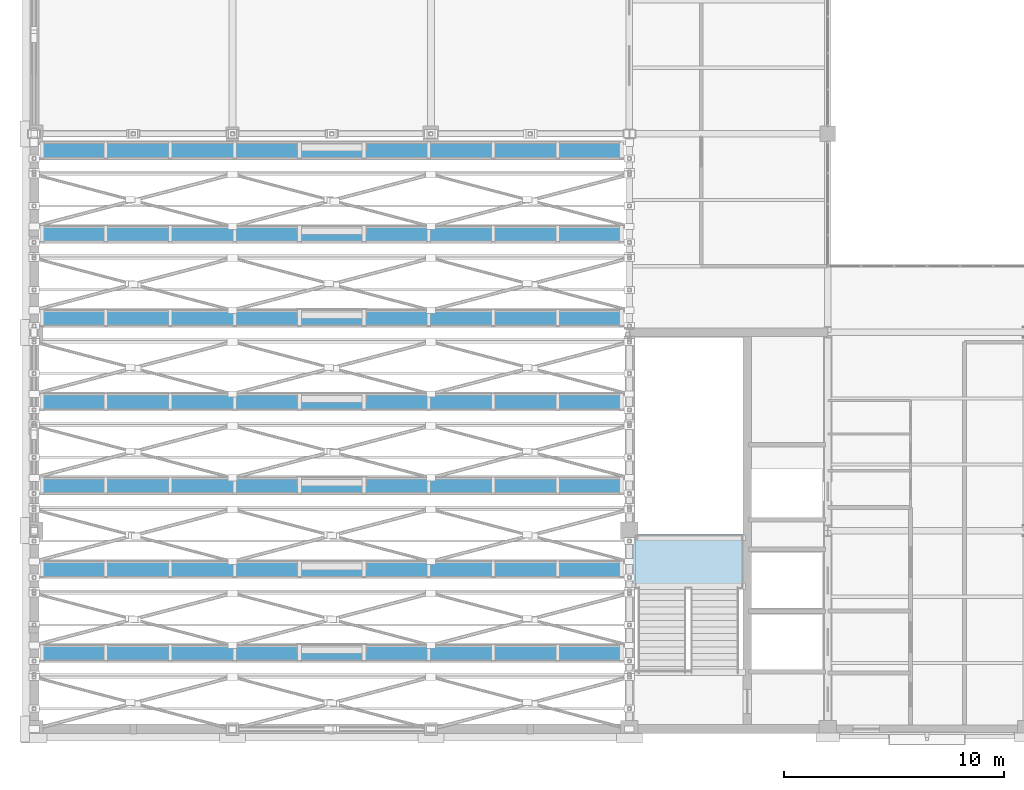
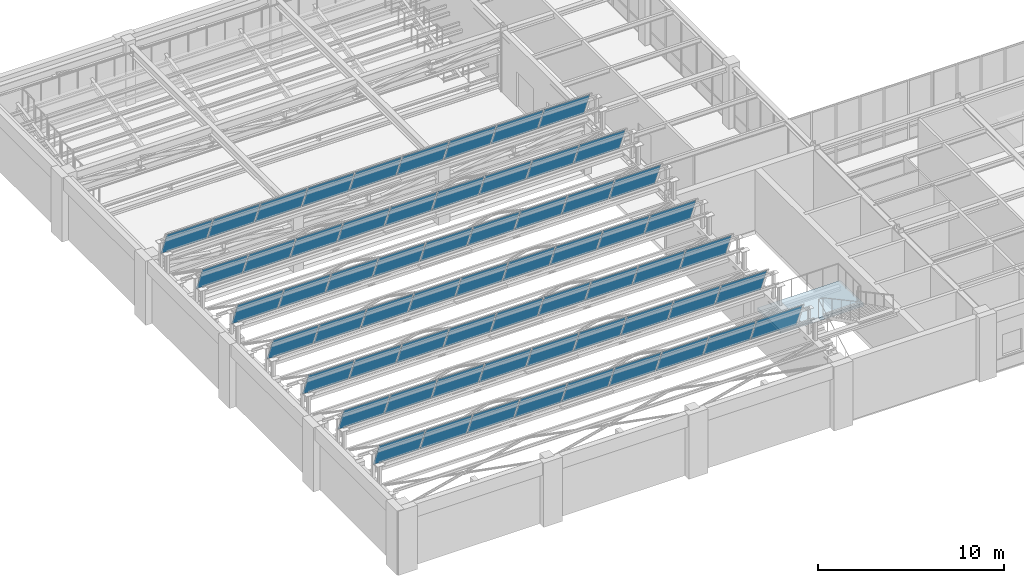
# One storey, part 79 of 108: 63 plates, 1 slab, 8 elements without a shape of their own.
"""IFC4 building model written with IfcOpenShell, lengths in metres."""

from ifc_helpers import new_model, si_unit, direction, frame, origin, origin_2d, place, context, subcontext, project, spatial, polyline, rectangle, outline, extrude, material, layer, layer_set, type_object, element, aggregate, save


model = new_model("IFC4")

# Units and contexts
model_context = context("Model", 3, precision=1e-05, world=origin(), true_north=direction((0.0, 1.0)))
body_context = subcontext(model_context, "Body", "Model", "MODEL_VIEW")
ifc_project = project(units=[si_unit("LENGTHUNIT", "METRE"), si_unit("AREAUNIT", "SQUARE_METRE"), si_unit("VOLUMEUNIT", "CUBIC_METRE"), si_unit("PLANEANGLEUNIT", "RADIAN"), si_unit("MASSUNIT", "GRAM", prefix="KILO")], contexts=[model_context])

# Site, building, storey
site_placement = place(None, origin())
site = spatial("IfcSite", under=ifc_project, at=site_placement, CompositionType="ELEMENT")
building_placement = place(site_placement, origin())
building = spatial("IfcBuilding", under=site, at=building_placement, Name="Lykobir Media Centre", CompositionType="ELEMENT")
storey_placement = place(building_placement, frame((0.0, 0.0, 15.0)))
storey = spatial("IfcBuildingStorey", under=building, at=storey_placement, Name="L03", CompositionType="ELEMENT", Elevation=15.0)

# Curtain wall, plates
ifc_material_1 = material(Name="Anodized Aluminium AW-6060", Category="aluminium")
curtain_wall_type = type_object("IfcCurtainWallType", Name="CW-NL-V1", PredefinedType="NOTDEFINED", material=ifc_material_1)
curtain_wall_1_placement = place(storey_placement, origin())
curtain_wall_1 = element("IfcCurtainWall", 1, at=curtain_wall_1_placement, inside=storey, type_object=curtain_wall_type, Name="Curtain wall CW-NL-V1-01", PredefinedType="NOTDEFINED")
ifc_material_2 = material(Name="Low-E Laminated Triple Glazing", Category="glass")
ifc_layer_1 = layer(ifc_material_2, 0.031982421875, Name="Low-E Laminated Triple Glazing")
ifc_layer_set_1 = layer_set([ifc_layer_1], Name="Low-E Laminated Triple Glazing")
plate_type = type_object("IfcPlateType", Name="CWP-GLZ-32", PredefinedType="CURTAIN_PANEL", material=ifc_layer_set_1)
plate_1_placement = place(storey_placement, frame((1.802001953125, 3.773681640625, 4.264892578125), z_axis=(0.0, -0.374606593416, 0.927183854567), x_axis=(1.0, 0.0, 0.0)))
plate_1 = element("IfcPlate", 2, at=plate_1_placement, type_object=plate_type, Name="CW-NL-V1-01 panel 1.1", PredefinedType="CURTAIN_PANEL", context=body_context, shape_type="SweptSolid", body=[
    extrude(rectangle(XDim=2.823974609375, YDim=0.031982421875, at=origin_2d()), origin(), (0.0, 0.0, 1.0), 1.77880859375),
])
plate_2_placement = place(storey_placement, frame((4.71337890625, 3.773681640625, 4.264892578125), z_axis=(0.0, -0.374606593416, 0.927183854567), x_axis=(1.0, 0.0, 0.0)))
plate_2 = element("IfcPlate", 3, at=plate_2_placement, type_object=plate_type, Name="CW-NL-V1-01 panel 2.1", PredefinedType="CURTAIN_PANEL", context=body_context, shape_type="SweptSolid", body=[
    extrude(rectangle(XDim=2.85888671875, YDim=0.031982421875, at=origin_2d()), origin(), (0.0, 0.0, 1.0), 1.77880859375),
])
plate_3_placement = place(storey_placement, frame((7.64208984375, 3.773681640625, 4.264892578125), z_axis=(0.0, -0.374606593416, 0.927183854567), x_axis=(1.0, 0.0, 0.0)))
plate_3 = element("IfcPlate", 4, at=plate_3_placement, type_object=plate_type, Name="CW-NL-V1-01 panel 3.1", PredefinedType="CURTAIN_PANEL", context=body_context, shape_type="SweptSolid", body=[
    extrude(rectangle(XDim=2.85888671875, YDim=0.031982421875, at=origin_2d()), origin(), (0.0, 0.0, 1.0), 1.77880859375),
])
plate_4_placement = place(storey_placement, frame((10.571044921875, 3.773681640625, 4.264892578125), z_axis=(0.0, -0.374606593416, 0.927183854567), x_axis=(1.0, 0.0, 0.0)))
plate_4 = element("IfcPlate", 5, at=plate_4_placement, type_object=plate_type, Name="CW-NL-V1-01 panel 4.1", PredefinedType="CURTAIN_PANEL", context=body_context, shape_type="SweptSolid", body=[
    extrude(rectangle(XDim=2.85888671875, YDim=0.031982421875, at=origin_2d()), origin(), (0.0, 0.0, 1.0), 1.77880859375),
])
plate_5_placement = place(storey_placement, frame((13.5, 3.773681640625, 4.264892578125), z_axis=(0.0, -0.374606593416, 0.927183854567), x_axis=(1.0, 0.0, 0.0)))
plate_5 = element("IfcPlate", 6, at=plate_5_placement, type_object=plate_type, Name="CW-NL-V1-01 panel 5.1", PredefinedType="CURTAIN_PANEL", context=body_context, shape_type="SweptSolid", body=[
    extrude(rectangle(XDim=2.85888671875, YDim=0.031982421875, at=origin_2d()), origin(), (0.0, 0.0, 1.0), 1.77880859375),
])
plate_6_placement = place(storey_placement, frame((16.428955078125, 3.773681640625, 4.264892578125), z_axis=(0.0, -0.374606593416, 0.927183854567), x_axis=(1.0, 0.0, 0.0)))
plate_6 = element("IfcPlate", 7, at=plate_6_placement, type_object=plate_type, Name="CW-NL-V1-01 panel 6.1", PredefinedType="CURTAIN_PANEL", context=body_context, shape_type="SweptSolid", body=[
    extrude(rectangle(XDim=2.85888671875, YDim=0.031982421875, at=origin_2d()), origin(), (0.0, 0.0, 1.0), 1.77880859375),
])
plate_7_placement = place(storey_placement, frame((19.35791015625, 3.773681640625, 4.264892578125), z_axis=(0.0, -0.374606593416, 0.927183854567), x_axis=(1.0, 0.0, 0.0)))
plate_7 = element("IfcPlate", 8, at=plate_7_placement, type_object=plate_type, Name="CW-NL-V1-01 panel 7.1", PredefinedType="CURTAIN_PANEL", context=body_context, shape_type="SweptSolid", body=[
    extrude(rectangle(XDim=2.85888671875, YDim=0.031982421875, at=origin_2d()), origin(), (0.0, 0.0, 1.0), 1.77880859375),
])
plate_8_placement = place(storey_placement, frame((22.28662109375, 3.773681640625, 4.264892578125), z_axis=(0.0, -0.374606593416, 0.927183854567), x_axis=(1.0, 0.0, 0.0)))
plate_8 = element("IfcPlate", 9, at=plate_8_placement, type_object=plate_type, Name="CW-NL-V1-01 panel 8.1", PredefinedType="CURTAIN_PANEL", context=body_context, shape_type="SweptSolid", body=[
    extrude(rectangle(XDim=2.85888671875, YDim=0.031982421875, at=origin_2d()), origin(), (0.0, 0.0, 1.0), 1.77880859375),
])
plate_9_placement = place(storey_placement, frame((25.197998046875, 3.773681640625, 4.264892578125), z_axis=(0.0, -0.374606593416, 0.927183854567), x_axis=(1.0, 0.0, 0.0)))
plate_9 = element("IfcPlate", 10, at=plate_9_placement, type_object=plate_type, Name="CW-NL-V1-01 panel 9.1", PredefinedType="CURTAIN_PANEL", context=body_context, shape_type="SweptSolid", body=[
    extrude(rectangle(XDim=2.823974609375, YDim=0.031982421875, at=origin_2d()), origin(), (0.0, 0.0, 1.0), 1.77880859375),
])
aggregate(curtain_wall_1, [plate_1, plate_2, plate_3, plate_4, plate_5, plate_6, plate_7, plate_8, plate_9])

curtain_wall_2_placement = place(storey_placement, origin())
curtain_wall_2 = element("IfcCurtainWall", 11, at=curtain_wall_2_placement, inside=storey, type_object=curtain_wall_type, Name="Curtain wall CW-NL-V1-02", PredefinedType="NOTDEFINED")
plate_10_placement = place(storey_placement, frame((1.802001953125, 7.57373046875, 4.264892578125), z_axis=(0.0, -0.374606593416, 0.927183854567), x_axis=(1.0, 0.0, 0.0)))
plate_10 = element("IfcPlate", 12, at=plate_10_placement, type_object=plate_type, Name="CW-NL-V1-02 panel 1.1", PredefinedType="CURTAIN_PANEL", context=body_context, shape_type="SweptSolid", body=[
    extrude(rectangle(XDim=2.823974609375, YDim=0.031982421875, at=origin_2d()), origin(), (0.0, 0.0, 1.0), 1.77880859375),
])
plate_11_placement = place(storey_placement, frame((4.71337890625, 7.57373046875, 4.264892578125), z_axis=(0.0, -0.374606593416, 0.927183854567), x_axis=(1.0, 0.0, 0.0)))
plate_11 = element("IfcPlate", 13, at=plate_11_placement, type_object=plate_type, Name="CW-NL-V1-02 panel 2.1", PredefinedType="CURTAIN_PANEL", context=body_context, shape_type="SweptSolid", body=[
    extrude(rectangle(XDim=2.85888671875, YDim=0.031982421875, at=origin_2d()), origin(), (0.0, 0.0, 1.0), 1.77880859375),
])
plate_12_placement = place(storey_placement, frame((7.64208984375, 7.57373046875, 4.264892578125), z_axis=(0.0, -0.374606593416, 0.927183854567), x_axis=(1.0, 0.0, 0.0)))
plate_12 = element("IfcPlate", 14, at=plate_12_placement, type_object=plate_type, Name="CW-NL-V1-02 panel 3.1", PredefinedType="CURTAIN_PANEL", context=body_context, shape_type="SweptSolid", body=[
    extrude(rectangle(XDim=2.85888671875, YDim=0.031982421875, at=origin_2d()), origin(), (0.0, 0.0, 1.0), 1.77880859375),
])
plate_13_placement = place(storey_placement, frame((10.571044921875, 7.57373046875, 4.264892578125), z_axis=(0.0, -0.374606593416, 0.927183854567), x_axis=(1.0, 0.0, 0.0)))
plate_13 = element("IfcPlate", 15, at=plate_13_placement, type_object=plate_type, Name="CW-NL-V1-02 panel 4.1", PredefinedType="CURTAIN_PANEL", context=body_context, shape_type="SweptSolid", body=[
    extrude(rectangle(XDim=2.85888671875, YDim=0.031982421875, at=origin_2d()), origin(), (0.0, 0.0, 1.0), 1.77880859375),
])
plate_14_placement = place(storey_placement, frame((13.5, 7.57373046875, 4.264892578125), z_axis=(0.0, -0.374606593416, 0.927183854567), x_axis=(1.0, 0.0, 0.0)))
plate_14 = element("IfcPlate", 16, at=plate_14_placement, type_object=plate_type, Name="CW-NL-V1-02 panel 5.1", PredefinedType="CURTAIN_PANEL", context=body_context, shape_type="SweptSolid", body=[
    extrude(rectangle(XDim=2.85888671875, YDim=0.031982421875, at=origin_2d()), origin(), (0.0, 0.0, 1.0), 1.77880859375),
])
plate_15_placement = place(storey_placement, frame((16.428955078125, 7.57373046875, 4.264892578125), z_axis=(0.0, -0.374606593416, 0.927183854567), x_axis=(1.0, 0.0, 0.0)))
plate_15 = element("IfcPlate", 17, at=plate_15_placement, type_object=plate_type, Name="CW-NL-V1-02 panel 6.1", PredefinedType="CURTAIN_PANEL", context=body_context, shape_type="SweptSolid", body=[
    extrude(rectangle(XDim=2.85888671875, YDim=0.031982421875, at=origin_2d()), origin(), (0.0, 0.0, 1.0), 1.77880859375),
])
plate_16_placement = place(storey_placement, frame((19.35791015625, 7.57373046875, 4.264892578125), z_axis=(0.0, -0.374606593416, 0.927183854567), x_axis=(1.0, 0.0, 0.0)))
plate_16 = element("IfcPlate", 18, at=plate_16_placement, type_object=plate_type, Name="CW-NL-V1-02 panel 7.1", PredefinedType="CURTAIN_PANEL", context=body_context, shape_type="SweptSolid", body=[
    extrude(rectangle(XDim=2.85888671875, YDim=0.031982421875, at=origin_2d()), origin(), (0.0, 0.0, 1.0), 1.77880859375),
])
plate_17_placement = place(storey_placement, frame((22.28662109375, 7.57373046875, 4.264892578125), z_axis=(0.0, -0.374606593416, 0.927183854567), x_axis=(1.0, 0.0, 0.0)))
plate_17 = element("IfcPlate", 19, at=plate_17_placement, type_object=plate_type, Name="CW-NL-V1-02 panel 8.1", PredefinedType="CURTAIN_PANEL", context=body_context, shape_type="SweptSolid", body=[
    extrude(rectangle(XDim=2.85888671875, YDim=0.031982421875, at=origin_2d()), origin(), (0.0, 0.0, 1.0), 1.77880859375),
])
plate_18_placement = place(storey_placement, frame((25.197998046875, 7.57373046875, 4.264892578125), z_axis=(0.0, -0.374606593416, 0.927183854567), x_axis=(1.0, 0.0, 0.0)))
plate_18 = element("IfcPlate", 20, at=plate_18_placement, type_object=plate_type, Name="CW-NL-V1-02 panel 9.1", PredefinedType="CURTAIN_PANEL", context=body_context, shape_type="SweptSolid", body=[
    extrude(rectangle(XDim=2.823974609375, YDim=0.031982421875, at=origin_2d()), origin(), (0.0, 0.0, 1.0), 1.77880859375),
])
aggregate(curtain_wall_2, [plate_10, plate_11, plate_12, plate_13, plate_14, plate_15, plate_16, plate_17, plate_18])

curtain_wall_3_placement = place(storey_placement, origin())
curtain_wall_3 = element("IfcCurtainWall", 21, at=curtain_wall_3_placement, inside=storey, type_object=curtain_wall_type, Name="Curtain wall CW-NL-V1-03", PredefinedType="NOTDEFINED")
plate_19_placement = place(storey_placement, frame((1.802001953125, 11.373779296875, 4.264892578125), z_axis=(0.0, -0.374606593416, 0.927183854567), x_axis=(1.0, 0.0, 0.0)))
plate_19 = element("IfcPlate", 22, at=plate_19_placement, type_object=plate_type, Name="CW-NL-V1-03 panel 1.1", PredefinedType="CURTAIN_PANEL", context=body_context, shape_type="SweptSolid", body=[
    extrude(rectangle(XDim=2.823974609375, YDim=0.031982421875, at=origin_2d()), origin(), (0.0, 0.0, 1.0), 1.77880859375),
])
plate_20_placement = place(storey_placement, frame((4.71337890625, 11.373779296875, 4.264892578125), z_axis=(0.0, -0.374606593416, 0.927183854567), x_axis=(1.0, 0.0, 0.0)))
plate_20 = element("IfcPlate", 23, at=plate_20_placement, type_object=plate_type, Name="CW-NL-V1-03 panel 2.1", PredefinedType="CURTAIN_PANEL", context=body_context, shape_type="SweptSolid", body=[
    extrude(rectangle(XDim=2.85888671875, YDim=0.031982421875, at=origin_2d()), origin(), (0.0, 0.0, 1.0), 1.77880859375),
])
plate_21_placement = place(storey_placement, frame((7.64208984375, 11.373779296875, 4.264892578125), z_axis=(0.0, -0.374606593416, 0.927183854567), x_axis=(1.0, 0.0, 0.0)))
plate_21 = element("IfcPlate", 24, at=plate_21_placement, type_object=plate_type, Name="CW-NL-V1-03 panel 3.1", PredefinedType="CURTAIN_PANEL", context=body_context, shape_type="SweptSolid", body=[
    extrude(rectangle(XDim=2.85888671875, YDim=0.031982421875, at=origin_2d()), origin(), (0.0, 0.0, 1.0), 1.77880859375),
])
plate_22_placement = place(storey_placement, frame((10.571044921875, 11.373779296875, 4.264892578125), z_axis=(0.0, -0.374606593416, 0.927183854567), x_axis=(1.0, 0.0, 0.0)))
plate_22 = element("IfcPlate", 25, at=plate_22_placement, type_object=plate_type, Name="CW-NL-V1-03 panel 4.1", PredefinedType="CURTAIN_PANEL", context=body_context, shape_type="SweptSolid", body=[
    extrude(rectangle(XDim=2.85888671875, YDim=0.031982421875, at=origin_2d()), origin(), (0.0, 0.0, 1.0), 1.77880859375),
])
plate_23_placement = place(storey_placement, frame((13.5, 11.373779296875, 4.264892578125), z_axis=(0.0, -0.374606593416, 0.927183854567), x_axis=(1.0, 0.0, 0.0)))
plate_23 = element("IfcPlate", 26, at=plate_23_placement, type_object=plate_type, Name="CW-NL-V1-03 panel 5.1", PredefinedType="CURTAIN_PANEL", context=body_context, shape_type="SweptSolid", body=[
    extrude(rectangle(XDim=2.85888671875, YDim=0.031982421875, at=origin_2d()), origin(), (0.0, 0.0, 1.0), 1.77880859375),
])
plate_24_placement = place(storey_placement, frame((16.428955078125, 11.373779296875, 4.264892578125), z_axis=(0.0, -0.374606593416, 0.927183854567), x_axis=(1.0, 0.0, 0.0)))
plate_24 = element("IfcPlate", 27, at=plate_24_placement, type_object=plate_type, Name="CW-NL-V1-03 panel 6.1", PredefinedType="CURTAIN_PANEL", context=body_context, shape_type="SweptSolid", body=[
    extrude(rectangle(XDim=2.85888671875, YDim=0.031982421875, at=origin_2d()), origin(), (0.0, 0.0, 1.0), 1.77880859375),
])
plate_25_placement = place(storey_placement, frame((19.35791015625, 11.373779296875, 4.264892578125), z_axis=(0.0, -0.374606593416, 0.927183854567), x_axis=(1.0, 0.0, 0.0)))
plate_25 = element("IfcPlate", 28, at=plate_25_placement, type_object=plate_type, Name="CW-NL-V1-03 panel 7.1", PredefinedType="CURTAIN_PANEL", context=body_context, shape_type="SweptSolid", body=[
    extrude(rectangle(XDim=2.85888671875, YDim=0.031982421875, at=origin_2d()), origin(), (0.0, 0.0, 1.0), 1.77880859375),
])
plate_26_placement = place(storey_placement, frame((22.28662109375, 11.373779296875, 4.264892578125), z_axis=(0.0, -0.374606593416, 0.927183854567), x_axis=(1.0, 0.0, 0.0)))
plate_26 = element("IfcPlate", 29, at=plate_26_placement, type_object=plate_type, Name="CW-NL-V1-03 panel 8.1", PredefinedType="CURTAIN_PANEL", context=body_context, shape_type="SweptSolid", body=[
    extrude(rectangle(XDim=2.85888671875, YDim=0.031982421875, at=origin_2d()), origin(), (0.0, 0.0, 1.0), 1.77880859375),
])
plate_27_placement = place(storey_placement, frame((25.197998046875, 11.373779296875, 4.264892578125), z_axis=(0.0, -0.374606593416, 0.927183854567), x_axis=(1.0, 0.0, 0.0)))
plate_27 = element("IfcPlate", 30, at=plate_27_placement, type_object=plate_type, Name="CW-NL-V1-03 panel 9.1", PredefinedType="CURTAIN_PANEL", context=body_context, shape_type="SweptSolid", body=[
    extrude(rectangle(XDim=2.823974609375, YDim=0.031982421875, at=origin_2d()), origin(), (0.0, 0.0, 1.0), 1.77880859375),
])
aggregate(curtain_wall_3, [plate_19, plate_20, plate_21, plate_22, plate_23, plate_24, plate_25, plate_26, plate_27])

curtain_wall_4_placement = place(storey_placement, origin())
curtain_wall_4 = element("IfcCurtainWall", 31, at=curtain_wall_4_placement, inside=storey, type_object=curtain_wall_type, Name="Curtain wall CW-NL-V1-04", PredefinedType="NOTDEFINED")
plate_28_placement = place(storey_placement, frame((1.802001953125, 15.173828125, 4.264892578125), z_axis=(0.0, -0.374606593416, 0.927183854567), x_axis=(1.0, 0.0, 0.0)))
plate_28 = element("IfcPlate", 32, at=plate_28_placement, type_object=plate_type, Name="CW-NL-V1-04 panel 1.1", PredefinedType="CURTAIN_PANEL", context=body_context, shape_type="SweptSolid", body=[
    extrude(rectangle(XDim=2.823974609375, YDim=0.031982421875, at=origin_2d()), origin(), (0.0, 0.0, 1.0), 1.77880859375),
])
plate_29_placement = place(storey_placement, frame((4.71337890625, 15.173828125, 4.264892578125), z_axis=(0.0, -0.374606593416, 0.927183854567), x_axis=(1.0, 0.0, 0.0)))
plate_29 = element("IfcPlate", 33, at=plate_29_placement, type_object=plate_type, Name="CW-NL-V1-04 panel 2.1", PredefinedType="CURTAIN_PANEL", context=body_context, shape_type="SweptSolid", body=[
    extrude(rectangle(XDim=2.85888671875, YDim=0.031982421875, at=origin_2d()), origin(), (0.0, 0.0, 1.0), 1.77880859375),
])
plate_30_placement = place(storey_placement, frame((7.64208984375, 15.173828125, 4.264892578125), z_axis=(0.0, -0.374606593416, 0.927183854567), x_axis=(1.0, 0.0, 0.0)))
plate_30 = element("IfcPlate", 34, at=plate_30_placement, type_object=plate_type, Name="CW-NL-V1-04 panel 3.1", PredefinedType="CURTAIN_PANEL", context=body_context, shape_type="SweptSolid", body=[
    extrude(rectangle(XDim=2.85888671875, YDim=0.031982421875, at=origin_2d()), origin(), (0.0, 0.0, 1.0), 1.77880859375),
])
plate_31_placement = place(storey_placement, frame((10.571044921875, 15.173828125, 4.264892578125), z_axis=(0.0, -0.374606593416, 0.927183854567), x_axis=(1.0, 0.0, 0.0)))
plate_31 = element("IfcPlate", 35, at=plate_31_placement, type_object=plate_type, Name="CW-NL-V1-04 panel 4.1", PredefinedType="CURTAIN_PANEL", context=body_context, shape_type="SweptSolid", body=[
    extrude(rectangle(XDim=2.85888671875, YDim=0.031982421875, at=origin_2d()), origin(), (0.0, 0.0, 1.0), 1.77880859375),
])
plate_32_placement = place(storey_placement, frame((13.5, 15.173828125, 4.264892578125), z_axis=(0.0, -0.374606593416, 0.927183854567), x_axis=(1.0, 0.0, 0.0)))
plate_32 = element("IfcPlate", 36, at=plate_32_placement, type_object=plate_type, Name="CW-NL-V1-04 panel 5.1", PredefinedType="CURTAIN_PANEL", context=body_context, shape_type="SweptSolid", body=[
    extrude(rectangle(XDim=2.85888671875, YDim=0.031982421875, at=origin_2d()), origin(), (0.0, 0.0, 1.0), 1.77880859375),
])
plate_33_placement = place(storey_placement, frame((16.428955078125, 15.173828125, 4.264892578125), z_axis=(0.0, -0.374606593416, 0.927183854567), x_axis=(1.0, 0.0, 0.0)))
plate_33 = element("IfcPlate", 37, at=plate_33_placement, type_object=plate_type, Name="CW-NL-V1-04 panel 6.1", PredefinedType="CURTAIN_PANEL", context=body_context, shape_type="SweptSolid", body=[
    extrude(rectangle(XDim=2.85888671875, YDim=0.031982421875, at=origin_2d()), origin(), (0.0, 0.0, 1.0), 1.77880859375),
])
plate_34_placement = place(storey_placement, frame((19.35791015625, 15.173828125, 4.264892578125), z_axis=(0.0, -0.374606593416, 0.927183854567), x_axis=(1.0, 0.0, 0.0)))
plate_34 = element("IfcPlate", 38, at=plate_34_placement, type_object=plate_type, Name="CW-NL-V1-04 panel 7.1", PredefinedType="CURTAIN_PANEL", context=body_context, shape_type="SweptSolid", body=[
    extrude(rectangle(XDim=2.85888671875, YDim=0.031982421875, at=origin_2d()), origin(), (0.0, 0.0, 1.0), 1.77880859375),
])
plate_35_placement = place(storey_placement, frame((22.28662109375, 15.173828125, 4.264892578125), z_axis=(0.0, -0.374606593416, 0.927183854567), x_axis=(1.0, 0.0, 0.0)))
plate_35 = element("IfcPlate", 39, at=plate_35_placement, type_object=plate_type, Name="CW-NL-V1-04 panel 8.1", PredefinedType="CURTAIN_PANEL", context=body_context, shape_type="SweptSolid", body=[
    extrude(rectangle(XDim=2.85888671875, YDim=0.031982421875, at=origin_2d()), origin(), (0.0, 0.0, 1.0), 1.77880859375),
])
plate_36_placement = place(storey_placement, frame((25.197998046875, 15.173828125, 4.264892578125), z_axis=(0.0, -0.374606593416, 0.927183854567), x_axis=(1.0, 0.0, 0.0)))
plate_36 = element("IfcPlate", 40, at=plate_36_placement, type_object=plate_type, Name="CW-NL-V1-04 panel 9.1", PredefinedType="CURTAIN_PANEL", context=body_context, shape_type="SweptSolid", body=[
    extrude(rectangle(XDim=2.823974609375, YDim=0.031982421875, at=origin_2d()), origin(), (0.0, 0.0, 1.0), 1.77880859375),
])
aggregate(curtain_wall_4, [plate_28, plate_29, plate_30, plate_31, plate_32, plate_33, plate_34, plate_35, plate_36])

curtain_wall_5_placement = place(storey_placement, origin())
curtain_wall_5 = element("IfcCurtainWall", 41, at=curtain_wall_5_placement, inside=storey, type_object=curtain_wall_type, Name="Curtain wall CW-NL-V1-05", PredefinedType="NOTDEFINED")
plate_37_placement = place(storey_placement, frame((1.802001953125, 18.973876953125, 4.264892578125), z_axis=(0.0, -0.374606593416, 0.927183854567), x_axis=(1.0, 0.0, 0.0)))
plate_37 = element("IfcPlate", 42, at=plate_37_placement, type_object=plate_type, Name="CW-NL-V1-05 panel 1.1", PredefinedType="CURTAIN_PANEL", context=body_context, shape_type="SweptSolid", body=[
    extrude(rectangle(XDim=2.823974609375, YDim=0.031982421875, at=origin_2d()), origin(), (0.0, 0.0, 1.0), 1.77880859375),
])
plate_38_placement = place(storey_placement, frame((4.71337890625, 18.973876953125, 4.264892578125), z_axis=(0.0, -0.374606593416, 0.927183854567), x_axis=(1.0, 0.0, 0.0)))
plate_38 = element("IfcPlate", 43, at=plate_38_placement, type_object=plate_type, Name="CW-NL-V1-05 panel 2.1", PredefinedType="CURTAIN_PANEL", context=body_context, shape_type="SweptSolid", body=[
    extrude(rectangle(XDim=2.85888671875, YDim=0.031982421875, at=origin_2d()), origin(), (0.0, 0.0, 1.0), 1.77880859375),
])
plate_39_placement = place(storey_placement, frame((7.64208984375, 18.973876953125, 4.264892578125), z_axis=(0.0, -0.374606593416, 0.927183854567), x_axis=(1.0, 0.0, 0.0)))
plate_39 = element("IfcPlate", 44, at=plate_39_placement, type_object=plate_type, Name="CW-NL-V1-05 panel 3.1", PredefinedType="CURTAIN_PANEL", context=body_context, shape_type="SweptSolid", body=[
    extrude(rectangle(XDim=2.85888671875, YDim=0.031982421875, at=origin_2d()), origin(), (0.0, 0.0, 1.0), 1.77880859375),
])
plate_40_placement = place(storey_placement, frame((10.571044921875, 18.973876953125, 4.264892578125), z_axis=(0.0, -0.374606593416, 0.927183854567), x_axis=(1.0, 0.0, 0.0)))
plate_40 = element("IfcPlate", 45, at=plate_40_placement, type_object=plate_type, Name="CW-NL-V1-05 panel 4.1", PredefinedType="CURTAIN_PANEL", context=body_context, shape_type="SweptSolid", body=[
    extrude(rectangle(XDim=2.85888671875, YDim=0.031982421875, at=origin_2d()), origin(), (0.0, 0.0, 1.0), 1.77880859375),
])
plate_41_placement = place(storey_placement, frame((13.5, 18.973876953125, 4.264892578125), z_axis=(0.0, -0.374606593416, 0.927183854567), x_axis=(1.0, 0.0, 0.0)))
plate_41 = element("IfcPlate", 46, at=plate_41_placement, type_object=plate_type, Name="CW-NL-V1-05 panel 5.1", PredefinedType="CURTAIN_PANEL", context=body_context, shape_type="SweptSolid", body=[
    extrude(rectangle(XDim=2.85888671875, YDim=0.031982421875, at=origin_2d()), origin(), (0.0, 0.0, 1.0), 1.77880859375),
])
plate_42_placement = place(storey_placement, frame((16.428955078125, 18.973876953125, 4.264892578125), z_axis=(0.0, -0.374606593416, 0.927183854567), x_axis=(1.0, 0.0, 0.0)))
plate_42 = element("IfcPlate", 47, at=plate_42_placement, type_object=plate_type, Name="CW-NL-V1-05 panel 6.1", PredefinedType="CURTAIN_PANEL", context=body_context, shape_type="SweptSolid", body=[
    extrude(rectangle(XDim=2.85888671875, YDim=0.031982421875, at=origin_2d()), origin(), (0.0, 0.0, 1.0), 1.77880859375),
])
plate_43_placement = place(storey_placement, frame((19.35791015625, 18.973876953125, 4.264892578125), z_axis=(0.0, -0.374606593416, 0.927183854567), x_axis=(1.0, 0.0, 0.0)))
plate_43 = element("IfcPlate", 48, at=plate_43_placement, type_object=plate_type, Name="CW-NL-V1-05 panel 7.1", PredefinedType="CURTAIN_PANEL", context=body_context, shape_type="SweptSolid", body=[
    extrude(rectangle(XDim=2.85888671875, YDim=0.031982421875, at=origin_2d()), origin(), (0.0, 0.0, 1.0), 1.77880859375),
])
plate_44_placement = place(storey_placement, frame((22.28662109375, 18.973876953125, 4.264892578125), z_axis=(0.0, -0.374606593416, 0.927183854567), x_axis=(1.0, 0.0, 0.0)))
plate_44 = element("IfcPlate", 49, at=plate_44_placement, type_object=plate_type, Name="CW-NL-V1-05 panel 8.1", PredefinedType="CURTAIN_PANEL", context=body_context, shape_type="SweptSolid", body=[
    extrude(rectangle(XDim=2.85888671875, YDim=0.031982421875, at=origin_2d()), origin(), (0.0, 0.0, 1.0), 1.77880859375),
])
plate_45_placement = place(storey_placement, frame((25.197998046875, 18.973876953125, 4.264892578125), z_axis=(0.0, -0.374606593416, 0.927183854567), x_axis=(1.0, 0.0, 0.0)))
plate_45 = element("IfcPlate", 50, at=plate_45_placement, type_object=plate_type, Name="CW-NL-V1-05 panel 9.1", PredefinedType="CURTAIN_PANEL", context=body_context, shape_type="SweptSolid", body=[
    extrude(rectangle(XDim=2.823974609375, YDim=0.031982421875, at=origin_2d()), origin(), (0.0, 0.0, 1.0), 1.77880859375),
])
aggregate(curtain_wall_5, [plate_37, plate_38, plate_39, plate_40, plate_41, plate_42, plate_43, plate_44, plate_45])

curtain_wall_6_placement = place(storey_placement, origin())
curtain_wall_6 = element("IfcCurtainWall", 51, at=curtain_wall_6_placement, inside=storey, type_object=curtain_wall_type, Name="Curtain wall CW-NL-V1-06", PredefinedType="NOTDEFINED")
plate_46_placement = place(storey_placement, frame((1.802001953125, 22.773681640625, 4.264892578125), z_axis=(0.0, -0.374606593416, 0.927183854567), x_axis=(1.0, 0.0, 0.0)))
plate_46 = element("IfcPlate", 52, at=plate_46_placement, type_object=plate_type, Name="CW-NL-V1-06 panel 1.1", PredefinedType="CURTAIN_PANEL", context=body_context, shape_type="SweptSolid", body=[
    extrude(rectangle(XDim=2.823974609375, YDim=0.031982421875, at=origin_2d()), origin(), (0.0, 0.0, 1.0), 1.77880859375),
])
plate_47_placement = place(storey_placement, frame((4.71337890625, 22.773681640625, 4.264892578125), z_axis=(0.0, -0.374606593416, 0.927183854567), x_axis=(1.0, 0.0, 0.0)))
plate_47 = element("IfcPlate", 53, at=plate_47_placement, type_object=plate_type, Name="CW-NL-V1-06 panel 2.1", PredefinedType="CURTAIN_PANEL", context=body_context, shape_type="SweptSolid", body=[
    extrude(rectangle(XDim=2.85888671875, YDim=0.031982421875, at=origin_2d()), origin(), (0.0, 0.0, 1.0), 1.77880859375),
])
plate_48_placement = place(storey_placement, frame((7.64208984375, 22.773681640625, 4.264892578125), z_axis=(0.0, -0.374606593416, 0.927183854567), x_axis=(1.0, 0.0, 0.0)))
plate_48 = element("IfcPlate", 54, at=plate_48_placement, type_object=plate_type, Name="CW-NL-V1-06 panel 3.1", PredefinedType="CURTAIN_PANEL", context=body_context, shape_type="SweptSolid", body=[
    extrude(rectangle(XDim=2.85888671875, YDim=0.031982421875, at=origin_2d()), origin(), (0.0, 0.0, 1.0), 1.77880859375),
])
plate_49_placement = place(storey_placement, frame((10.571044921875, 22.773681640625, 4.264892578125), z_axis=(0.0, -0.374606593416, 0.927183854567), x_axis=(1.0, 0.0, 0.0)))
plate_49 = element("IfcPlate", 55, at=plate_49_placement, type_object=plate_type, Name="CW-NL-V1-06 panel 4.1", PredefinedType="CURTAIN_PANEL", context=body_context, shape_type="SweptSolid", body=[
    extrude(rectangle(XDim=2.85888671875, YDim=0.031982421875, at=origin_2d()), origin(), (0.0, 0.0, 1.0), 1.77880859375),
])
plate_50_placement = place(storey_placement, frame((13.5, 22.773681640625, 4.264892578125), z_axis=(0.0, -0.374606593416, 0.927183854567), x_axis=(1.0, 0.0, 0.0)))
plate_50 = element("IfcPlate", 56, at=plate_50_placement, type_object=plate_type, Name="CW-NL-V1-06 panel 5.1", PredefinedType="CURTAIN_PANEL", context=body_context, shape_type="SweptSolid", body=[
    extrude(rectangle(XDim=2.85888671875, YDim=0.031982421875, at=origin_2d()), origin(), (0.0, 0.0, 1.0), 1.77880859375),
])
plate_51_placement = place(storey_placement, frame((16.428955078125, 22.773681640625, 4.264892578125), z_axis=(0.0, -0.374606593416, 0.927183854567), x_axis=(1.0, 0.0, 0.0)))
plate_51 = element("IfcPlate", 57, at=plate_51_placement, type_object=plate_type, Name="CW-NL-V1-06 panel 6.1", PredefinedType="CURTAIN_PANEL", context=body_context, shape_type="SweptSolid", body=[
    extrude(rectangle(XDim=2.85888671875, YDim=0.031982421875, at=origin_2d()), origin(), (0.0, 0.0, 1.0), 1.77880859375),
])
plate_52_placement = place(storey_placement, frame((19.35791015625, 22.773681640625, 4.264892578125), z_axis=(0.0, -0.374606593416, 0.927183854567), x_axis=(1.0, 0.0, 0.0)))
plate_52 = element("IfcPlate", 58, at=plate_52_placement, type_object=plate_type, Name="CW-NL-V1-06 panel 7.1", PredefinedType="CURTAIN_PANEL", context=body_context, shape_type="SweptSolid", body=[
    extrude(rectangle(XDim=2.85888671875, YDim=0.031982421875, at=origin_2d()), origin(), (0.0, 0.0, 1.0), 1.77880859375),
])
plate_53_placement = place(storey_placement, frame((22.28662109375, 22.773681640625, 4.264892578125), z_axis=(0.0, -0.374606593416, 0.927183854567), x_axis=(1.0, 0.0, 0.0)))
plate_53 = element("IfcPlate", 59, at=plate_53_placement, type_object=plate_type, Name="CW-NL-V1-06 panel 8.1", PredefinedType="CURTAIN_PANEL", context=body_context, shape_type="SweptSolid", body=[
    extrude(rectangle(XDim=2.85888671875, YDim=0.031982421875, at=origin_2d()), origin(), (0.0, 0.0, 1.0), 1.77880859375),
])
plate_54_placement = place(storey_placement, frame((25.197998046875, 22.773681640625, 4.264892578125), z_axis=(0.0, -0.374606593416, 0.927183854567), x_axis=(1.0, 0.0, 0.0)))
plate_54 = element("IfcPlate", 60, at=plate_54_placement, type_object=plate_type, Name="CW-NL-V1-06 panel 9.1", PredefinedType="CURTAIN_PANEL", context=body_context, shape_type="SweptSolid", body=[
    extrude(rectangle(XDim=2.823974609375, YDim=0.031982421875, at=origin_2d()), origin(), (0.0, 0.0, 1.0), 1.77880859375),
])
aggregate(curtain_wall_6, [plate_46, plate_47, plate_48, plate_49, plate_50, plate_51, plate_52, plate_53, plate_54])

curtain_wall_7_placement = place(storey_placement, origin())
curtain_wall_7 = element("IfcCurtainWall", 61, at=curtain_wall_7_placement, inside=storey, type_object=curtain_wall_type, Name="Curtain wall CW-NL-V1-07", PredefinedType="NOTDEFINED")
plate_55_placement = place(storey_placement, frame((1.802001953125, 26.57373046875, 4.264892578125), z_axis=(0.0, -0.374606593416, 0.927183854567), x_axis=(1.0, 0.0, 0.0)))
plate_55 = element("IfcPlate", 62, at=plate_55_placement, type_object=plate_type, Name="CW-NL-V1-07 panel 1.1", PredefinedType="CURTAIN_PANEL", context=body_context, shape_type="SweptSolid", body=[
    extrude(rectangle(XDim=2.823974609375, YDim=0.031982421875, at=origin_2d()), origin(), (0.0, 0.0, 1.0), 1.77880859375),
])
plate_56_placement = place(storey_placement, frame((4.71337890625, 26.57373046875, 4.264892578125), z_axis=(0.0, -0.374606593416, 0.927183854567), x_axis=(1.0, 0.0, 0.0)))
plate_56 = element("IfcPlate", 63, at=plate_56_placement, type_object=plate_type, Name="CW-NL-V1-07 panel 2.1", PredefinedType="CURTAIN_PANEL", context=body_context, shape_type="SweptSolid", body=[
    extrude(rectangle(XDim=2.85888671875, YDim=0.031982421875, at=origin_2d()), origin(), (0.0, 0.0, 1.0), 1.77880859375),
])
plate_57_placement = place(storey_placement, frame((7.64208984375, 26.57373046875, 4.264892578125), z_axis=(0.0, -0.374606593416, 0.927183854567), x_axis=(1.0, 0.0, 0.0)))
plate_57 = element("IfcPlate", 64, at=plate_57_placement, type_object=plate_type, Name="CW-NL-V1-07 panel 3.1", PredefinedType="CURTAIN_PANEL", context=body_context, shape_type="SweptSolid", body=[
    extrude(rectangle(XDim=2.85888671875, YDim=0.031982421875, at=origin_2d()), origin(), (0.0, 0.0, 1.0), 1.77880859375),
])
plate_58_placement = place(storey_placement, frame((10.571044921875, 26.57373046875, 4.264892578125), z_axis=(0.0, -0.374606593416, 0.927183854567), x_axis=(1.0, 0.0, 0.0)))
plate_58 = element("IfcPlate", 65, at=plate_58_placement, type_object=plate_type, Name="CW-NL-V1-07 panel 4.1", PredefinedType="CURTAIN_PANEL", context=body_context, shape_type="SweptSolid", body=[
    extrude(rectangle(XDim=2.85888671875, YDim=0.031982421875, at=origin_2d()), origin(), (0.0, 0.0, 1.0), 1.77880859375),
])
plate_59_placement = place(storey_placement, frame((13.5, 26.57373046875, 4.264892578125), z_axis=(0.0, -0.374606593416, 0.927183854567), x_axis=(1.0, 0.0, 0.0)))
plate_59 = element("IfcPlate", 66, at=plate_59_placement, type_object=plate_type, Name="CW-NL-V1-07 panel 5.1", PredefinedType="CURTAIN_PANEL", context=body_context, shape_type="SweptSolid", body=[
    extrude(rectangle(XDim=2.85888671875, YDim=0.031982421875, at=origin_2d()), origin(), (0.0, 0.0, 1.0), 1.77880859375),
])
plate_60_placement = place(storey_placement, frame((16.428955078125, 26.57373046875, 4.264892578125), z_axis=(0.0, -0.374606593416, 0.927183854567), x_axis=(1.0, 0.0, 0.0)))
plate_60 = element("IfcPlate", 67, at=plate_60_placement, type_object=plate_type, Name="CW-NL-V1-07 panel 6.1", PredefinedType="CURTAIN_PANEL", context=body_context, shape_type="SweptSolid", body=[
    extrude(rectangle(XDim=2.85888671875, YDim=0.031982421875, at=origin_2d()), origin(), (0.0, 0.0, 1.0), 1.77880859375),
])
plate_61_placement = place(storey_placement, frame((19.35791015625, 26.57373046875, 4.264892578125), z_axis=(0.0, -0.374606593416, 0.927183854567), x_axis=(1.0, 0.0, 0.0)))
plate_61 = element("IfcPlate", 68, at=plate_61_placement, type_object=plate_type, Name="CW-NL-V1-07 panel 7.1", PredefinedType="CURTAIN_PANEL", context=body_context, shape_type="SweptSolid", body=[
    extrude(rectangle(XDim=2.85888671875, YDim=0.031982421875, at=origin_2d()), origin(), (0.0, 0.0, 1.0), 1.77880859375),
])
plate_62_placement = place(storey_placement, frame((22.28662109375, 26.57373046875, 4.264892578125), z_axis=(0.0, -0.374606593416, 0.927183854567), x_axis=(1.0, 0.0, 0.0)))
plate_62 = element("IfcPlate", 69, at=plate_62_placement, type_object=plate_type, Name="CW-NL-V1-07 panel 8.1", PredefinedType="CURTAIN_PANEL", context=body_context, shape_type="SweptSolid", body=[
    extrude(rectangle(XDim=2.85888671875, YDim=0.031982421875, at=origin_2d()), origin(), (0.0, 0.0, 1.0), 1.77880859375),
])
plate_63_placement = place(storey_placement, frame((25.197998046875, 26.57373046875, 4.264892578125), z_axis=(0.0, -0.374606593416, 0.927183854567), x_axis=(1.0, 0.0, 0.0)))
plate_63 = element("IfcPlate", 70, at=plate_63_placement, type_object=plate_type, Name="CW-NL-V1-07 panel 9.1", PredefinedType="CURTAIN_PANEL", context=body_context, shape_type="SweptSolid", body=[
    extrude(rectangle(XDim=2.823974609375, YDim=0.031982421875, at=origin_2d()), origin(), (0.0, 0.0, 1.0), 1.77880859375),
])
aggregate(curtain_wall_7, [plate_55, plate_56, plate_57, plate_58, plate_59, plate_60, plate_61, plate_62, plate_63])

# Stair, slab
ifc_material_3 = material(Name="Concrete C30/37", Category="concrete")
stair_type = type_object("IfcStairType", Name="ST-HT-420", PredefinedType="HALF_TURN_STAIR", material=ifc_material_3)
stair_placement = place(storey_placement, origin())
stair = element("IfcStair", 71, at=stair_placement, inside=storey, type_object=stair_type, Name="Escape stair ST-1 L03", PredefinedType="HALF_TURN_STAIR")
ifc_layer_2 = layer(ifc_material_3, 0.195068359375, Name="Concrete C30/37")
ifc_layer_set_2 = layer_set([ifc_layer_2], Name="Concrete C30/37")
slab_type = type_object("IfcSlabType", Name="SL-195", PredefinedType="LANDING", material=ifc_layer_set_2)
slab_placement = place(storey_placement, frame((0.0, 0.0, 1.905029296875)))
slab = element("IfcSlab", 72, at=slab_placement, type_object=slab_type, Name="ST-1-L03 landing 1", PredefinedType="LANDING", context=body_context, shape_type="SweptSolid", body=[
    extrude(outline(polyline([(27.1298828125, 6.35009765625), (32.27001953125, 6.35009765625), (32.27001953125, 8.830078125), (27.1298828125, 8.830078125), (27.1298828125, 6.35009765625)])), origin(), (0.0, 0.0, 1.0), 0.195068359375),
])
aggregate(stair, [slab])

save(model, "model.ifc")
